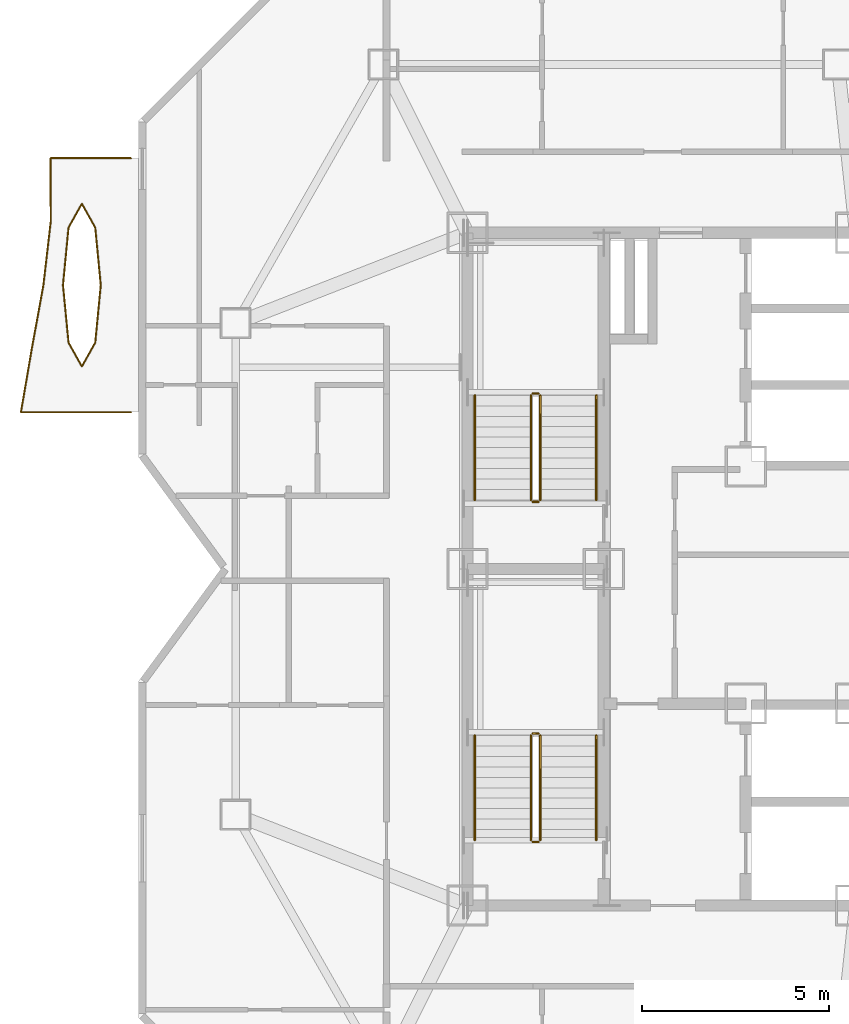
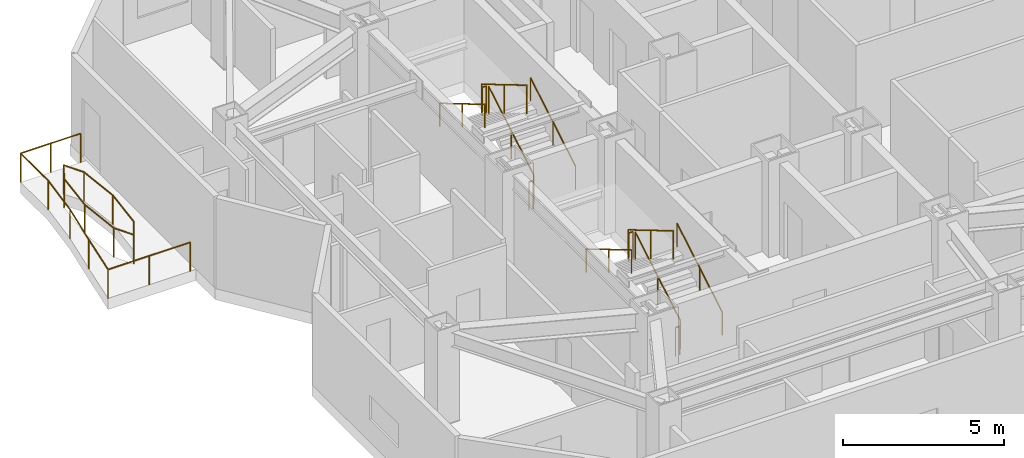
# One storey, part 9 of 10: 16 railings.
"""IFC4 building model written with IfcOpenShell, lengths in metres."""

from ifc_helpers import new_model, si_unit, direction, frame, origin, origin_2d, place, context, subcontext, project, spatial, circle, extrude, material, type_object, element, save


model = new_model("IFC4")

# Units and contexts
model_context = context("Model", 3, precision=1e-05, world=origin(), true_north=direction((0.0, 1.0)))
body_context = subcontext(model_context, "Body", "Model", "MODEL_VIEW")
ifc_project = project(units=[si_unit("LENGTHUNIT", "METRE"), si_unit("AREAUNIT", "SQUARE_METRE"), si_unit("VOLUMEUNIT", "CUBIC_METRE"), si_unit("PLANEANGLEUNIT", "RADIAN"), si_unit("MASSUNIT", "GRAM", prefix="KILO")], contexts=[model_context])

# Site, building, storey
site_placement = place(None, origin())
site = spatial("IfcSite", under=ifc_project, at=site_placement, CompositionType="ELEMENT")
building_placement = place(site_placement, origin())
building = spatial("IfcBuilding", under=site, at=building_placement, Name="Khamvora Tower", CompositionType="ELEMENT")
storey_placement = place(building_placement, frame((0.0, 0.0, 217.199951171875)))
storey = spatial("IfcBuildingStorey", under=building, at=storey_placement, Name="L55", CompositionType="ELEMENT", Elevation=217.199951171875)

# Railings
ifc_material_1 = material(Name="Stainless Steel 316 and Laminated Glass", Category="steel")
railing_type_1 = type_object("IfcRailingType", Name="RAL-GAL-1120", PredefinedType="GUARDRAIL", material=ifc_material_1)
railing_1_placement = place(storey_placement, frame((20.0, 32.199951171875, 0.0)))
element("IfcRailing", 1, at=railing_1_placement, inside=storey, type_object=railing_type_1, Name="L55 lens gallery south perimeter guardrail WL2", PredefinedType="GUARDRAIL", context=body_context, shape_type="SweptSolid", body=[
    extrude(circle(Radius=0.02392578125, at=origin_2d()), frame((0.0, 0.0, 1.09619140625), z_axis=(-1.0, 0.0, 0.0), x_axis=(0.0, -1.0, 0.0)), (0.0, 0.0, 1.0), 2.947021484375),
    extrude(circle(Radius=0.02392578125, at=origin_2d()), frame((-2.947021484375, 0.0, 1.09619140625), z_axis=(0.168735927421, 0.985661294156, 0.0), x_axis=(-0.985661294156, 0.168735927421, 0.0)), (0.0, 0.0, 1.0), 1.724609375),
    extrude(circle(Radius=0.02392578125, at=origin_2d()), frame((-2.656005859375, 1.699951171875, 1.09619140625), z_axis=(0.179407531307, 0.983774840962, 0.0), x_axis=(-0.983774840962, 0.179407531307, 0.0)), (0.0, 0.0, 1.0), 1.728271484375),
    extrude(circle(Radius=0.02099609375, at=origin_2d()), origin(), (0.0, 0.0, 1.0), 1.072021484375),
    extrude(circle(Radius=0.02099609375, at=origin_2d()), frame((-1.4736328125, 0.0, 0.0)), (0.0, 0.0, 1.0), 1.072021484375),
    extrude(circle(Radius=0.02099609375, at=origin_2d()), frame((-2.947021484375, 0.0, 0.0)), (0.0, 0.0, 1.0), 1.072021484375),
    extrude(circle(Radius=0.02099609375, at=origin_2d()), frame((-2.656005859375, 1.699951171875, 0.0)), (0.0, 0.0, 1.0), 1.072021484375),
    extrude(circle(Radius=0.02099609375, at=origin_2d()), frame((-2.345947265625, 3.400146484375, 0.0)), (0.0, 0.0, 1.0), 1.072021484375),
])
railing_2_placement = place(storey_placement, frame((17.654052734375, 35.60009765625, 0.0)))
element("IfcRailing", 2, at=railing_2_placement, inside=storey, type_object=railing_type_1, Name="L55 lens gallery north perimeter guardrail WL2", PredefinedType="GUARDRAIL", context=body_context, shape_type="SweptSolid", body=[
    extrude(circle(Radius=0.02392578125, at=origin_2d()), frame((0.0, 0.0, 1.09619140625), z_axis=(0.114564540175, 0.99341580727, 0.0), x_axis=(-0.99341580727, 0.114564540175, 0.0)), (0.0, 0.0, 1.0), 1.711181640625),
    extrude(circle(Radius=0.02392578125, at=origin_2d()), frame((0.196044921875, 1.699951171875, 1.09619140625), z_axis=(-0.001867008092, 0.999998257139, 0.0), x_axis=(-0.999998257139, -0.001867008092, 0.0)), (0.0, 0.0, 1.0), 1.699951171875),
    extrude(circle(Radius=0.02392578125, at=origin_2d()), frame((0.19287109375, 3.39990234375, 1.09619140625), z_axis=(1.0, 0.0, 0.0), x_axis=(0.0, 1.0, 0.0)), (0.0, 0.0, 1.0), 2.153076171875),
    extrude(circle(Radius=0.02099609375, at=origin_2d()), origin(), (0.0, 0.0, 1.0), 1.072021484375),
    extrude(circle(Radius=0.02099609375, at=origin_2d()), frame((0.196044921875, 1.699951171875, 0.0)), (0.0, 0.0, 1.0), 1.072021484375),
    extrude(circle(Radius=0.02099609375, at=origin_2d()), frame((0.19287109375, 3.39990234375, 0.0)), (0.0, 0.0, 1.0), 1.072021484375),
    extrude(circle(Radius=0.02099609375, at=origin_2d()), frame((1.26953125, 3.39990234375, 0.0)), (0.0, 0.0, 1.0), 1.072021484375),
    extrude(circle(Radius=0.02099609375, at=origin_2d()), frame((2.345947265625, 3.39990234375, 0.0)), (0.0, 0.0, 1.0), 1.072021484375),
])
railing_3_placement = place(storey_placement, frame((19.18896484375, 35.60009765625, 0.0)))
element("IfcRailing", 3, at=railing_3_placement, inside=storey, type_object=railing_type_1, Name="L55 lens gallery void guardrail WL2A", PredefinedType="GUARDRAIL", context=body_context, shape_type="SweptSolid", body=[
    extrude(circle(Radius=0.02392578125, at=origin_2d()), frame((0.0, 0.0, 1.09619140625), z_axis=(-0.09570337897, 0.995409897105, 0.0), x_axis=(-0.995409897105, -0.09570337897, 0.0)), (0.0, 0.0, 1.0), 1.5458984375),
    extrude(circle(Radius=0.02392578125, at=origin_2d()), frame((-0.14794921875, 1.538818359375, 1.09619140625), z_axis=(-0.487828856646, 0.872939291488, 0.0), x_axis=(-0.872939291488, -0.487828856646, 0.0)), (0.0, 0.0, 1.0), 0.729736328125),
    extrude(circle(Radius=0.02392578125, at=origin_2d()), frame((-0.50390625, 2.17578125, 1.09619140625), z_axis=(-0.487828856646, -0.872939291488, 0.0), x_axis=(0.872939291488, -0.487828856646, 0.0)), (0.0, 0.0, 1.0), 0.729736328125),
    extrude(circle(Radius=0.02392578125, at=origin_2d()), frame((-0.85986328125, 1.538818359375, 1.09619140625), z_axis=(-0.095859855319, -0.995394840321, 0.0), x_axis=(0.995394840321, -0.095859855319, 0.0)), (0.0, 0.0, 1.0), 1.5458984375),
    extrude(circle(Radius=0.02099609375, at=origin_2d()), origin(), (0.0, 0.0, 1.0), 1.072021484375),
    extrude(circle(Radius=0.02099609375, at=origin_2d()), frame((-0.14794921875, 1.538818359375, 0.0)), (0.0, 0.0, 1.0), 1.072021484375),
    extrude(circle(Radius=0.02099609375, at=origin_2d()), frame((-0.50390625, 2.17578125, 0.0)), (0.0, 0.0, 1.0), 1.072021484375),
    extrude(circle(Radius=0.02099609375, at=origin_2d()), frame((-0.85986328125, 1.538818359375, 0.0)), (0.0, 0.0, 1.0), 1.072021484375),
    extrude(circle(Radius=0.02099609375, at=origin_2d()), frame((-1.008056640625, 0.0, 0.0)), (0.0, 0.0, 1.0), 1.072021484375),
])
railing_4_placement = place(storey_placement, frame((18.180908203125, 35.60009765625, 0.0)))
element("IfcRailing", 4, at=railing_4_placement, inside=storey, type_object=railing_type_1, Name="L55 lens gallery void guardrail WL2B", PredefinedType="GUARDRAIL", context=body_context, shape_type="SweptSolid", body=[
    extrude(circle(Radius=0.02392578125, at=origin_2d()), frame((0.0, 0.0, 1.09619140625), z_axis=(0.095844788822, -0.99539629116, 0.0), x_axis=(0.99539629116, 0.095844788822, 0.0)), (0.0, 0.0, 1.0), 1.546142578125),
    extrude(circle(Radius=0.02392578125, at=origin_2d()), frame((0.148193359375, -1.5390625, 1.09619140625), z_axis=(0.487828856646, -0.872939291488, 0.0), x_axis=(0.872939291488, 0.487828856646, 0.0)), (0.0, 0.0, 1.0), 0.729736328125),
    extrude(circle(Radius=0.02392578125, at=origin_2d()), frame((0.504150390625, -2.176025390625, 1.09619140625), z_axis=(0.487828856646, 0.872939291488, 0.0), x_axis=(-0.872939291488, 0.487828856646, 0.0)), (0.0, 0.0, 1.0), 0.729736328125),
    extrude(circle(Radius=0.02392578125, at=origin_2d()), frame((0.860107421875, -1.5390625, 1.09619140625), z_axis=(0.095688336612, 0.995411343233, 0.0), x_axis=(-0.995411343233, 0.095688336612, 0.0)), (0.0, 0.0, 1.0), 1.546142578125),
    extrude(circle(Radius=0.02099609375, at=origin_2d()), origin(), (0.0, 0.0, 1.0), 1.072021484375),
    extrude(circle(Radius=0.02099609375, at=origin_2d()), frame((0.148193359375, -1.5390625, 0.0)), (0.0, 0.0, 1.0), 1.072021484375),
    extrude(circle(Radius=0.02099609375, at=origin_2d()), frame((0.504150390625, -2.176025390625, 0.0)), (0.0, 0.0, 1.0), 1.072021484375),
    extrude(circle(Radius=0.02099609375, at=origin_2d()), frame((0.860107421875, -1.5390625, 0.0)), (0.0, 0.0, 1.0), 1.072021484375),
    extrude(circle(Radius=0.02099609375, at=origin_2d()), frame((1.008056640625, 0.0, 0.0)), (0.0, 0.0, 1.0), 1.072021484375),
])
ifc_material_2 = material(Name="Brushed Stainless Steel 316", Category="steel")
railing_type_2 = type_object("IfcRailingType", Name="RAL-HDR-920", PredefinedType="HANDRAIL", material=ifc_material_2)
railing_5_placement = place(storey_placement, frame((32.449951171875, 20.75, 0.166015625)))
element("IfcRailing", 5, at=railing_5_placement, inside=storey, type_object=railing_type_2, Name="L55 ST-01 stair handrail 1", PredefinedType="HANDRAIL", context=body_context, shape_type="SweptSolid", body=[
    extrude(circle(Radius=0.02392578125, at=origin_2d()), frame((0.0, 0.0, 0.8759765625), z_axis=(0.0, 0.860339051648, 0.50972219513), x_axis=(-1.0, 0.0, 0.0)), (0.0, 0.0, 1.0), 3.254638671875),
    extrude(circle(Radius=0.02099609375, at=origin_2d()), origin(), (0.0, 0.0, 1.0), 0.851806640625),
    extrude(circle(Radius=0.02099609375, at=origin_2d()), frame((0.0, 1.39990234375, 0.82958984375)), (0.0, 0.0, 1.0), 0.851806640625),
    extrude(circle(Radius=0.02099609375, at=origin_2d()), frame((0.0, 2.800048828125, 1.658935546875)), (0.0, 0.0, 1.0), 0.851806640625),
])
railing_6_placement = place(storey_placement, frame((29.199951171875, 23.550048828125, 1.990966796875)))
element("IfcRailing", 6, at=railing_6_placement, inside=storey, type_object=railing_type_2, Name="L55 ST-01 stair handrail 2", PredefinedType="HANDRAIL", context=body_context, shape_type="SweptSolid", body=[
    extrude(circle(Radius=0.02392578125, at=origin_2d()), frame((0.0, 0.0, 0.8759765625), z_axis=(0.0, -0.860306154799, 0.50977771628), x_axis=(1.0, 0.0, 0.0)), (0.0, 0.0, 1.0), 3.254638671875),
    extrude(circle(Radius=0.02099609375, at=origin_2d()), origin(), (0.0, 0.0, 1.0), 0.851806640625),
    extrude(circle(Radius=0.02099609375, at=origin_2d()), frame((0.0, -1.39990234375, 0.82958984375)), (0.0, 0.0, 1.0), 0.851806640625),
    extrude(circle(Radius=0.02099609375, at=origin_2d()), frame((0.0, -2.800048828125, 1.6591796875)), (0.0, 0.0, 1.0), 0.851806640625),
])
railing_7_placement = place(storey_placement, frame((32.449951171875, 29.85009765625, 0.166015625)))
element("IfcRailing", 7, at=railing_7_placement, inside=storey, type_object=railing_type_2, Name="L55 ST-02 stair handrail 1", PredefinedType="HANDRAIL", context=body_context, shape_type="SweptSolid", body=[
    extrude(circle(Radius=0.02392578125, at=origin_2d()), frame((0.0, 0.0, 0.8759765625), z_axis=(0.0, 0.860319559791, 0.509755093197), x_axis=(-1.0, 0.0, 0.0)), (0.0, 0.0, 1.0), 3.25439453125),
    extrude(circle(Radius=0.02099609375, at=origin_2d()), origin(), (0.0, 0.0, 1.0), 0.851806640625),
    extrude(circle(Radius=0.02099609375, at=origin_2d()), frame((0.0, 1.39990234375, 0.82958984375)), (0.0, 0.0, 1.0), 0.851806640625),
    extrude(circle(Radius=0.02099609375, at=origin_2d()), frame((0.0, 2.7998046875, 1.658935546875)), (0.0, 0.0, 1.0), 0.851806640625),
])
railing_8_placement = place(storey_placement, frame((29.199951171875, 32.64990234375, 1.990966796875)))
element("IfcRailing", 8, at=railing_8_placement, inside=storey, type_object=railing_type_2, Name="L55 ST-02 stair handrail 2", PredefinedType="HANDRAIL", context=body_context, shape_type="SweptSolid", body=[
    extrude(circle(Radius=0.02392578125, at=origin_2d()), frame((0.0, 0.0, 0.8759765625), z_axis=(0.0, -0.860286659441, 0.509810615413), x_axis=(1.0, 0.0, 0.0)), (0.0, 0.0, 1.0), 3.25439453125),
    extrude(circle(Radius=0.02099609375, at=origin_2d()), origin(), (0.0, 0.0, 1.0), 0.851806640625),
    extrude(circle(Radius=0.02099609375, at=origin_2d()), frame((0.0, -1.39990234375, 0.82958984375)), (0.0, 0.0, 1.0), 0.851806640625),
    extrude(circle(Radius=0.02099609375, at=origin_2d()), frame((0.0, -2.7998046875, 1.6591796875)), (0.0, 0.0, 1.0), 0.851806640625),
])
ifc_material_3 = material(Name="Stainless Steel 316", Category="steel")
railing_type_3 = type_object("IfcRailingType", Name="RAL-STG-1100", PredefinedType="GUARDRAIL", material=ifc_material_3)
railing_9_placement = place(storey_placement, frame((30.949951171875, 20.75, 0.166015625)))
element("IfcRailing", 9, at=railing_9_placement, inside=storey, type_object=railing_type_3, Name="L55 ST-01 stair guard 1", PredefinedType="GUARDRAIL", context=body_context, shape_type="SweptSolid", body=[
    extrude(circle(Radius=0.02392578125, at=origin_2d()), frame((0.0, 0.0, 1.076171875), z_axis=(0.0, 0.860339051648, 0.50972219513), x_axis=(-1.0, 0.0, 0.0)), (0.0, 0.0, 1.0), 3.254638671875),
    extrude(circle(Radius=0.02099609375, at=origin_2d()), origin(), (0.0, 0.0, 1.0), 1.052001953125),
    extrude(circle(Radius=0.02099609375, at=origin_2d()), frame((0.0, 1.39990234375, 0.82958984375)), (0.0, 0.0, 1.0), 1.052001953125),
    extrude(circle(Radius=0.02099609375, at=origin_2d()), frame((0.0, 2.800048828125, 1.658935546875)), (0.0, 0.0, 1.0), 1.052001953125),
])
railing_10_placement = place(storey_placement, frame((30.89990234375, 23.60009765625, 1.824951171875)))
element("IfcRailing", 10, at=railing_10_placement, inside=storey, type_object=railing_type_3, Name="L55 ST-01 stair guard 2", PredefinedType="GUARDRAIL", context=body_context, shape_type="SweptSolid", body=[
    extrude(circle(Radius=0.02392578125, at=origin_2d()), frame((0.0, 0.0, 1.076171875), z_axis=(-1.0, 0.0, 0.0), x_axis=(0.0, -1.0, 0.0)), (0.0, 0.0, 1.0), 0.14990234375),
    extrude(circle(Radius=0.02099609375, at=origin_2d()), origin(), (0.0, 0.0, 1.0), 1.052001953125),
    extrude(circle(Radius=0.02099609375, at=origin_2d()), frame((-0.14990234375, 0.0, 0.0)), (0.0, 0.0, 1.0), 1.052001953125),
])
railing_11_placement = place(storey_placement, frame((30.699951171875, 23.550048828125, 1.990966796875)))
element("IfcRailing", 11, at=railing_11_placement, inside=storey, type_object=railing_type_3, Name="L55 ST-01 stair guard 3", PredefinedType="GUARDRAIL", context=body_context, shape_type="SweptSolid", body=[
    extrude(circle(Radius=0.02392578125, at=origin_2d()), frame((0.0, 0.0, 1.076171875), z_axis=(0.0, -0.860306154799, 0.50977771628), x_axis=(1.0, 0.0, 0.0)), (0.0, 0.0, 1.0), 3.254638671875),
    extrude(circle(Radius=0.02099609375, at=origin_2d()), origin(), (0.0, 0.0, 1.0), 1.052001953125),
    extrude(circle(Radius=0.02099609375, at=origin_2d()), frame((0.0, -1.39990234375, 0.82958984375)), (0.0, 0.0, 1.0), 1.052001953125),
    extrude(circle(Radius=0.02099609375, at=origin_2d()), frame((0.0, -2.800048828125, 1.6591796875)), (0.0, 0.0, 1.0), 1.052001953125),
])
railing_12_placement = place(storey_placement, frame((30.89990234375, 20.699951171875, 0.0)))
element("IfcRailing", 12, at=railing_12_placement, inside=storey, type_object=railing_type_3, Name="L55 ST-01 stair guard 4", PredefinedType="GUARDRAIL", context=body_context, shape_type="SweptSolid", body=[
    extrude(circle(Radius=0.02392578125, at=origin_2d()), frame((0.0, 0.0, 1.076171875), z_axis=(-1.0, 0.0, 0.0), x_axis=(0.0, -1.0, 0.0)), (0.0, 0.0, 1.0), 0.14990234375),
    extrude(circle(Radius=0.02099609375, at=origin_2d()), origin(), (0.0, 0.0, 1.0), 1.052001953125),
    extrude(circle(Radius=0.02099609375, at=origin_2d()), frame((-0.14990234375, 0.0, 0.0)), (0.0, 0.0, 1.0), 1.052001953125),
])
railing_13_placement = place(storey_placement, frame((30.949951171875, 29.85009765625, 0.166015625)))
element("IfcRailing", 13, at=railing_13_placement, inside=storey, type_object=railing_type_3, Name="L55 ST-02 stair guard 1", PredefinedType="GUARDRAIL", context=body_context, shape_type="SweptSolid", body=[
    extrude(circle(Radius=0.02392578125, at=origin_2d()), frame((0.0, 0.0, 1.076171875), z_axis=(0.0, 0.860319559791, 0.509755093197), x_axis=(-1.0, 0.0, 0.0)), (0.0, 0.0, 1.0), 3.25439453125),
    extrude(circle(Radius=0.02099609375, at=origin_2d()), origin(), (0.0, 0.0, 1.0), 1.052001953125),
    extrude(circle(Radius=0.02099609375, at=origin_2d()), frame((0.0, 1.39990234375, 0.82958984375)), (0.0, 0.0, 1.0), 1.052001953125),
    extrude(circle(Radius=0.02099609375, at=origin_2d()), frame((0.0, 2.7998046875, 1.658935546875)), (0.0, 0.0, 1.0), 1.052001953125),
])
railing_14_placement = place(storey_placement, frame((30.89990234375, 32.699951171875, 1.824951171875)))
element("IfcRailing", 14, at=railing_14_placement, inside=storey, type_object=railing_type_3, Name="L55 ST-02 stair guard 2", PredefinedType="GUARDRAIL", context=body_context, shape_type="SweptSolid", body=[
    extrude(circle(Radius=0.02392578125, at=origin_2d()), frame((0.0, 0.0, 1.076171875), z_axis=(-1.0, 0.0, 0.0), x_axis=(0.0, -1.0, 0.0)), (0.0, 0.0, 1.0), 0.14990234375),
    extrude(circle(Radius=0.02099609375, at=origin_2d()), origin(), (0.0, 0.0, 1.0), 1.052001953125),
    extrude(circle(Radius=0.02099609375, at=origin_2d()), frame((-0.14990234375, 0.0, 0.0)), (0.0, 0.0, 1.0), 1.052001953125),
])
railing_15_placement = place(storey_placement, frame((30.699951171875, 32.64990234375, 1.990966796875)))
element("IfcRailing", 15, at=railing_15_placement, inside=storey, type_object=railing_type_3, Name="L55 ST-02 stair guard 3", PredefinedType="GUARDRAIL", context=body_context, shape_type="SweptSolid", body=[
    extrude(circle(Radius=0.02392578125, at=origin_2d()), frame((0.0, 0.0, 1.076171875), z_axis=(0.0, -0.860286659441, 0.509810615413), x_axis=(1.0, 0.0, 0.0)), (0.0, 0.0, 1.0), 3.25439453125),
    extrude(circle(Radius=0.02099609375, at=origin_2d()), origin(), (0.0, 0.0, 1.0), 1.052001953125),
    extrude(circle(Radius=0.02099609375, at=origin_2d()), frame((0.0, -1.39990234375, 0.82958984375)), (0.0, 0.0, 1.0), 1.052001953125),
    extrude(circle(Radius=0.02099609375, at=origin_2d()), frame((0.0, -2.7998046875, 1.6591796875)), (0.0, 0.0, 1.0), 1.052001953125),
])
railing_16_placement = place(storey_placement, frame((30.89990234375, 29.800048828125, 0.0)))
element("IfcRailing", 16, at=railing_16_placement, inside=storey, type_object=railing_type_3, Name="L55 ST-02 stair guard 4", PredefinedType="GUARDRAIL", context=body_context, shape_type="SweptSolid", body=[
    extrude(circle(Radius=0.02392578125, at=origin_2d()), frame((0.0, 0.0, 1.076171875), z_axis=(-1.0, 0.0, 0.0), x_axis=(0.0, -1.0, 0.0)), (0.0, 0.0, 1.0), 0.14990234375),
    extrude(circle(Radius=0.02099609375, at=origin_2d()), origin(), (0.0, 0.0, 1.0), 1.052001953125),
    extrude(circle(Radius=0.02099609375, at=origin_2d()), frame((-0.14990234375, 0.0, 0.0)), (0.0, 0.0, 1.0), 1.052001953125),
])

save(model, "model.ifc")
